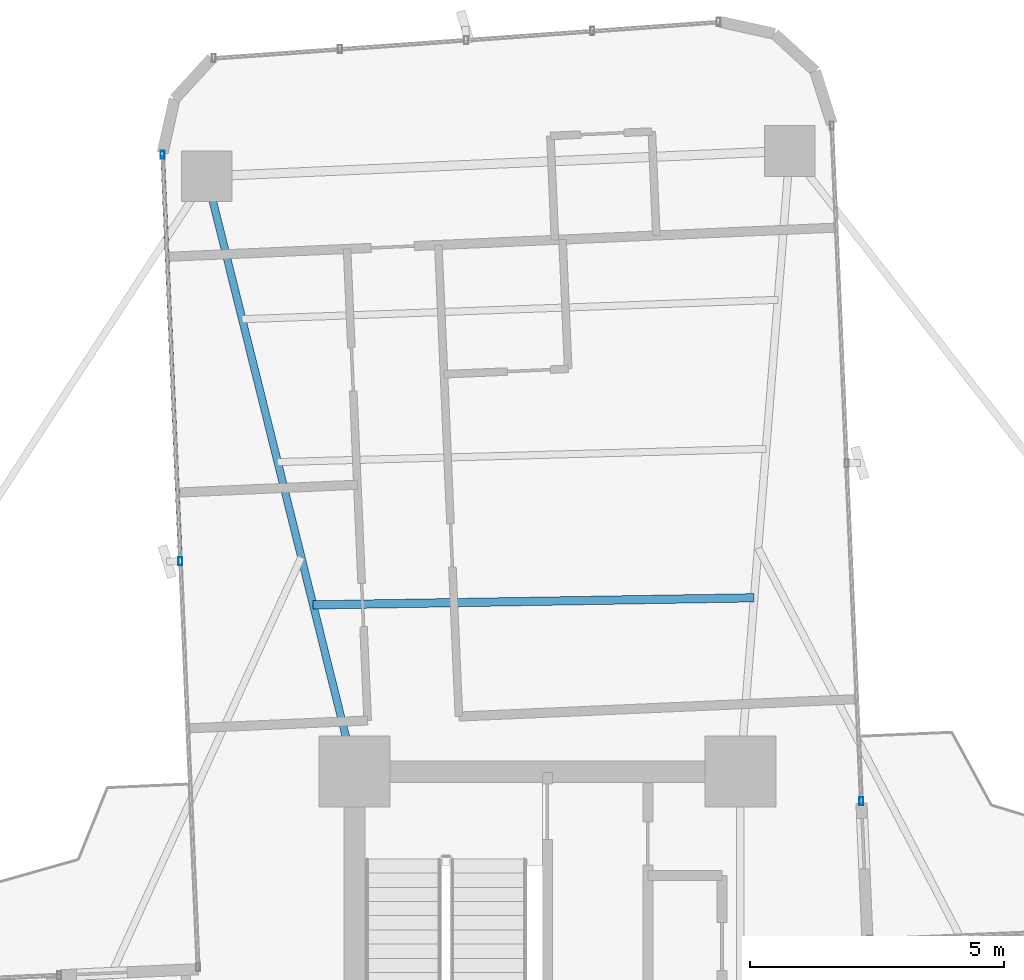
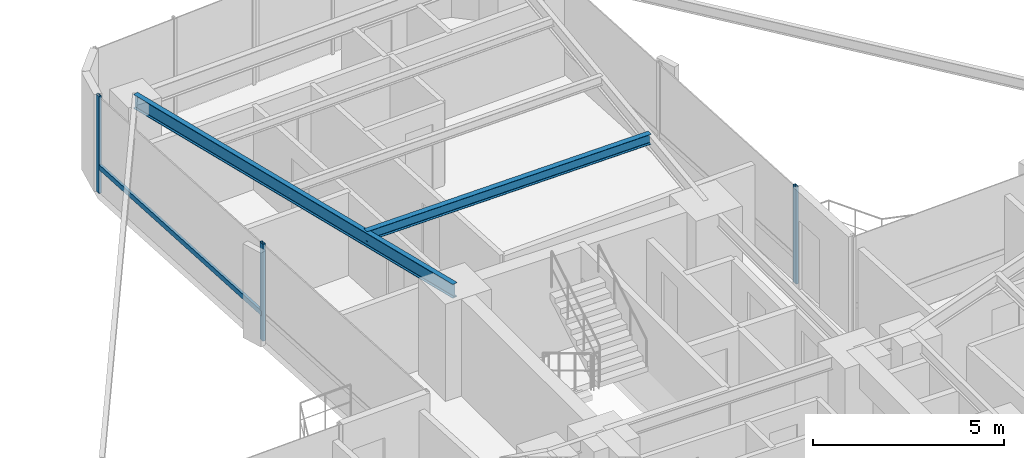
# One storey, part 17 of 26: 4 members, 2 beams, 2 elements without a shape of their own.
"""IFC4 building model written with IfcOpenShell, lengths in metres."""

from ifc_helpers import new_model, si_unit, direction, frame, origin, origin_2d, place, context, subcontext, project, spatial, hollow_rectangle, i_section, extrude, source, transform, mapped, material, material_profile, profile_set, type_object, element, aggregate, save


model = new_model("IFC4")

# Units and contexts
model_context = context("Model", 3, precision=1e-05, world=origin(), true_north=direction((0.0, 1.0)))
body_context = subcontext(model_context, "Body", "Model", "MODEL_VIEW")
ifc_project = project(units=[si_unit("LENGTHUNIT", "METRE"), si_unit("AREAUNIT", "SQUARE_METRE"), si_unit("VOLUMEUNIT", "CUBIC_METRE"), si_unit("PLANEANGLEUNIT", "RADIAN"), si_unit("MASSUNIT", "GRAM", prefix="KILO")], contexts=[model_context])

# Site, building, storey
site_placement = place(None, origin())
site = spatial("IfcSite", under=ifc_project, at=site_placement, CompositionType="ELEMENT")
building_placement = place(site_placement, origin())
building = spatial("IfcBuilding", under=site, at=building_placement, Name="Sahyath Konkavel Grand Hotel", CompositionType="ELEMENT")
storey_placement = place(building_placement, frame((0.0, 0.0, 114.800048828125)))
storey = spatial("IfcBuildingStorey", under=building, at=storey_placement, Name="L31", CompositionType="ELEMENT", Elevation=114.800048828125)

# Beams
ifc_material_1 = material(Name="Steel E350", Category="steel")
ifc_material_profile_1 = material_profile(ifc_material_1, i_section(OverallWidth=0.14990234375, OverallDepth=0.449951171875, WebThickness=0.009521484375, FlangeThickness=0.017333984375, FilletRadius=0.014892578125, at=origin_2d()), Name="ISMB 450")
ifc_profile_set_1 = profile_set([ifc_material_profile_1], Name="Steel E350")
beam_type_1 = type_object("IfcBeamType", Name="BM-ISMB450", PredefinedType="BEAM", material=ifc_profile_set_1)
shared_shape_1 = source(origin(), body_context, "Body", "SweptSolid", [
    extrude(i_section(OverallWidth=0.14990234375, OverallDepth=0.449951171875, WebThickness=0.009521484375, FlangeThickness=0.017333984375, FilletRadius=0.014892578125, at=origin_2d()), origin(), (0.0, 0.0, 1.0), 12.084228515625),
])
beam_1_placement = place(storey_placement, frame((-3.800048828125, 10.199951171875, 2.885009765625), z_axis=(-0.241042688481, 0.970514514229, 0.0), x_axis=(-0.970514514229, -0.241042688481, 0.0)))
element("IfcBeam", 1, at=beam_1_placement, inside=storey, type_object=beam_type_1, Name="L31 Cruciform Radial Girder NB", PredefinedType="BEAM", context=body_context, shape_type="MappedRepresentation", body=[
    mapped(shared_shape_1, transform((0.0, 0.0, 0.0), scale=1.0)),
])
ifc_material_profile_2 = material_profile(ifc_material_1, i_section(OverallWidth=0.1650390625, OverallDepth=0.324951171875, WebThickness=0.007080078125, FlangeThickness=0.009765625, FilletRadius=0.014892578125, at=origin_2d()), Name="ISLB 325")
ifc_profile_set_2 = profile_set([ifc_material_profile_2], Name="Steel E350")
beam_type_2 = type_object("IfcBeamType", Name="BM-ISLB325", PredefinedType="BEAM", material=ifc_profile_set_2)
shared_shape_2 = source(origin(), body_context, "Body", "SweptSolid", [
    extrude(i_section(OverallWidth=0.1650390625, OverallDepth=0.324951171875, WebThickness=0.007080078125, FlangeThickness=0.009765625, FilletRadius=0.014892578125, at=origin_2d()), origin(), (0.0, 0.0, 1.0), 8.68994140625),
])
beam_2_placement = place(storey_placement, frame((4.0732421875, 13.624267578125, 2.947509765625), z_axis=(-0.999869506431, -0.016154569283, 0.0), x_axis=(0.016154569283, -0.999869506431, 0.0)))
element("IfcBeam", 2, at=beam_2_placement, inside=storey, type_object=beam_type_2, Name="L31 Secondary Floor Beam N-1", PredefinedType="BEAM", context=body_context, shape_type="MappedRepresentation", body=[
    mapped(shared_shape_2, transform((0.0, 0.0, 0.0), scale=1.0)),
])

# Curtain wall, member
ifc_material_2 = material(Name="Anodised Bronze Aluminium & Low-E Glazing", Category="aluminium")
curtain_wall_type = type_object("IfcCurtainWallType", Name="CW-ZONE2", PredefinedType="NOTDEFINED", material=ifc_material_2)
curtain_wall_1_placement = place(storey_placement, origin())
curtain_wall_1 = element("IfcCurtainWall", 3, at=curtain_wall_1_placement, inside=storey, type_object=curtain_wall_type, Name="L31 Unitised Curtain Wall F8", PredefinedType="NOTDEFINED")
ifc_material_3 = material(Name="Anodised Bronze Aluminium", Category="aluminium")
ifc_material_profile_3 = material_profile(ifc_material_3, hollow_rectangle(XDim=0.080078125, YDim=0.159912109375, WallThickness=0.006103515625, at=origin_2d()), Name="RHS 160x80x6")
ifc_profile_set_3 = profile_set([ifc_material_profile_3], Name="Anodised Bronze Aluminium")
member_type_1 = type_object("IfcMemberType", Name="CW-MUL-160", PredefinedType="MULLION", material=ifc_profile_set_3)
shared_shape_3 = source(origin(), body_context, "Body", "SweptSolid", [
    extrude(hollow_rectangle(XDim=0.080078125, YDim=0.159912109375, WallThickness=0.006103515625, at=origin_2d()), origin(), (0.0, 0.0, 1.0), 3.10986328125),
])
member_1_placement = place(storey_placement, frame((6.186279296875, 9.618896484375, 0.0), z_axis=(0.0, 0.0, 1.0), x_axis=(1.0, 0.0, 0.0)))
member_1 = element("IfcMember", 4, at=member_1_placement, type_object=member_type_1, Name="L31 Curtain Wall Mullion F8-0", PredefinedType="MULLION", context=body_context, shape_type="MappedRepresentation", body=[
    mapped(shared_shape_3, transform((0.0, 0.0, 0.0), scale=1.0)),
])
aggregate(curtain_wall_1, [member_1])

# Curtain wall, members
curtain_wall_2_placement = place(storey_placement, origin())
curtain_wall_2 = element("IfcCurtainWall", 5, at=curtain_wall_2_placement, inside=storey, type_object=curtain_wall_type, Name="L31 Unitised Curtain Wall F15", PredefinedType="NOTDEFINED")
member_2_placement = place(storey_placement, frame((-7.582275390625, 22.3505859375, 0.0), z_axis=(0.0, 0.0, 1.0), x_axis=(1.0, 0.0, 0.0)))
member_2 = element("IfcMember", 6, at=member_2_placement, type_object=member_type_1, Name="L31 Curtain Wall Mullion F15-0", PredefinedType="MULLION", context=body_context, shape_type="MappedRepresentation", body=[
    mapped(shared_shape_3, transform((0.0, 0.0, 0.0), scale=1.0)),
])
member_3_placement = place(storey_placement, frame((-7.232666015625, 14.34814453125, 0.0), z_axis=(0.0, 0.0, 1.0), x_axis=(1.0, 0.0, 0.0)))
member_3 = element("IfcMember", 7, at=member_3_placement, type_object=member_type_1, Name="L31 Curtain Wall Mullion F15-1", PredefinedType="MULLION", context=body_context, shape_type="MappedRepresentation", body=[
    mapped(shared_shape_3, transform((0.0, 0.0, 0.0), scale=1.0)),
])
ifc_material_profile_4 = material_profile(ifc_material_3, hollow_rectangle(XDim=0.080078125, YDim=0.159912109375, WallThickness=0.006103515625, at=origin_2d()), Name="RHS 160x80x6")
ifc_profile_set_4 = profile_set([ifc_material_profile_4], Name="Anodised Bronze Aluminium")
member_type_2 = type_object("IfcMemberType", Name="CW-TRN-160", PredefinedType="USERDEFINED", material=ifc_profile_set_4)
shared_shape_4 = source(origin(), body_context, "Body", "SweptSolid", [
    extrude(hollow_rectangle(XDim=0.080078125, YDim=0.159912109375, WallThickness=0.006103515625, at=origin_2d()), origin(), (0.0, 0.0, 1.0), 8.010009765625),
])
member_4_placement = place(storey_placement, frame((-7.582275390625, 22.3505859375, 0.849853515625), z_axis=(0.043646207089, -0.999047050247, 0.0), x_axis=(0.999047050247, 0.043646207089, 0.0)))
member_4 = element("IfcMember", 8, at=member_4_placement, type_object=member_type_2, Name="L31 Curtain Wall Transom F15-0-spandrel", ObjectType="TRANSOM", PredefinedType="USERDEFINED", context=body_context, shape_type="MappedRepresentation", body=[
    mapped(shared_shape_4, transform((0.0, 0.0, 0.0), scale=1.0)),
])
aggregate(curtain_wall_2, [member_2, member_3, member_4])

save(model, "model.ifc")
